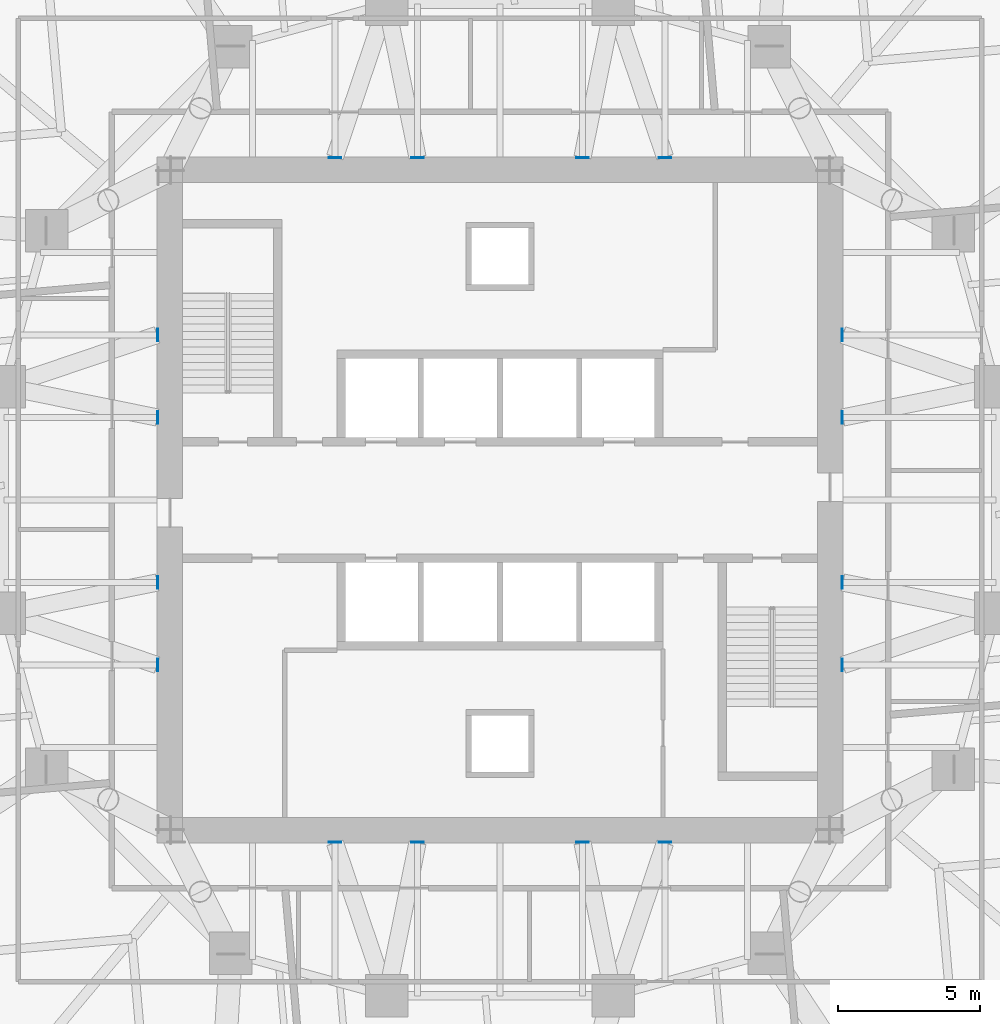
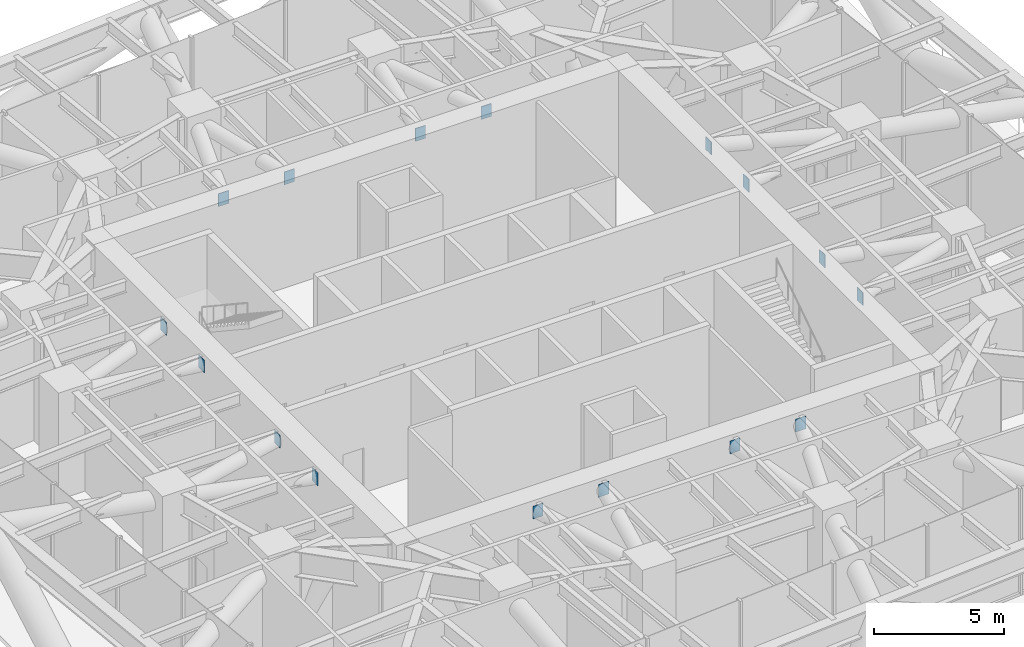
# One storey, part 12 of 14: 16 discrete accessories.
"""IFC4 building model written with IfcOpenShell, lengths in metres."""

from ifc_helpers import new_model, si_unit, direction, frame, origin, origin_2d, place, context, subcontext, project, spatial, rectangle, extrude, material, layer, layer_set, type_object, element, save


model = new_model("IFC4")

# Units and contexts
model_context = context("Model", 3, precision=1e-05, world=origin(), true_north=direction((0.0, 1.0)))
body_context = subcontext(model_context, "Body", "Model", "MODEL_VIEW")
ifc_project = project(units=[si_unit("LENGTHUNIT", "METRE"), si_unit("AREAUNIT", "SQUARE_METRE"), si_unit("VOLUMEUNIT", "CUBIC_METRE"), si_unit("PLANEANGLEUNIT", "RADIAN"), si_unit("MASSUNIT", "GRAM", prefix="KILO")], contexts=[model_context])

# Site, building, storey
site_placement = place(None, origin())
site = spatial("IfcSite", under=ifc_project, at=site_placement, CompositionType="ELEMENT")
building_placement = place(site_placement, origin())
building = spatial("IfcBuilding", under=site, at=building_placement, Name="Torsade Residences", CompositionType="ELEMENT")
storey_placement = place(building_placement, frame((0.0, 0.0, 42.199951171875)))
storey = spatial("IfcBuildingStorey", under=building, at=storey_placement, Name="L11", CompositionType="ELEMENT", Elevation=42.199951171875)

# Discrete accessories
ifc_material = material(Name="Steel grade 350", Category="steel")
ifc_layer = layer(ifc_material, 0.031982421875)
ifc_layer_set = layer_set([ifc_layer], Name="Steel grade 350")
discrete_accessory_type = type_object("IfcDiscreteAccessoryType", Name="CAST-IN PLATE 450x600x32", PredefinedType="ANCHORPLATE", material=ifc_layer_set)
for number, where, z_axis, x_axis, name in (
    (1, (52.083984375, 27.08740234375, 4.135986328125), (0.0, 0.0, 1.0), (1.0, 0.0, 0.0), "Cast-in plate PB1 PB-L12-IR01IE03"),
    (2, (52.083984375, 24.175048828125, 4.135986328125), (0.0, 0.0, 1.0), (1.0, 0.0, 0.0), "Cast-in plate PB1 PB-L12-IR01IE02"),
    (3, (52.083984375, 32.91259765625, 4.135986328125), (0.0, 0.0, 1.0), (1.0, 0.0, 0.0), "Cast-in plate PB1 PB-L12-IR02IE05"),
    (4, (52.083984375, 35.824951171875, 4.135986328125), (0.0, 0.0, 1.0), (1.0, 0.0, 0.0), "Cast-in plate PB1 PB-L12-IR02IE06"),
):
    element("IfcDiscreteAccessory", number, at=place(storey_placement, frame(where, z_axis=z_axis, x_axis=x_axis)), inside=storey, type_object=discrete_accessory_type, Name=name, PredefinedType="ANCHORPLATE", context=body_context, shape_type="SweptSolid", body=[
        extrude(rectangle(XDim=0.031982421875, YDim=0.449951171875, at=origin_2d()), origin(), (0.0, 0.0, 1.0), 0.60009765625),
    ])
for number, where, z_axis, x_axis, name in (
    (5, (42.91259765625, 42.083984375, 4.135986328125), (0.0, 0.0, 1.0), (1.0, 0.0, 0.0), "Cast-in plate PB1 PB-L12-IR05IN05"),
    (6, (45.824951171875, 42.083984375, 4.135986328125), (0.0, 0.0, 1.0), (1.0, 0.0, 0.0), "Cast-in plate PB1 PB-L12-IR05IN06"),
    (7, (37.08740234375, 42.083984375, 4.135986328125), (0.0, 0.0, 1.0), (1.0, 0.0, 0.0), "Cast-in plate PB1 PB-L12-IR06IN03"),
    (8, (34.175048828125, 42.083984375, 4.135986328125), (0.0, 0.0, 1.0), (1.0, 0.0, 0.0), "Cast-in plate PB1 PB-L12-IR06IN02"),
):
    element("IfcDiscreteAccessory", number, at=place(storey_placement, frame(where, z_axis=z_axis, x_axis=x_axis)), inside=storey, type_object=discrete_accessory_type, Name=name, PredefinedType="ANCHORPLATE", context=body_context, shape_type="SweptSolid", body=[
        extrude(rectangle(XDim=0.449951171875, YDim=0.031982421875, at=origin_2d()), origin(), (0.0, 0.0, 1.0), 0.60009765625),
    ])
for number, where, z_axis, x_axis, name in (
    (9, (27.916015625, 32.91259765625, 4.135986328125), (0.0, 0.0, 1.0), (1.0, 0.0, 0.0), "Cast-in plate PB1 PB-L12-IR09IW03"),
    (10, (27.916015625, 35.824951171875, 4.135986328125), (0.0, 0.0, 1.0), (1.0, 0.0, 0.0), "Cast-in plate PB1 PB-L12-IR09IW02"),
    (11, (27.916015625, 27.08740234375, 4.135986328125), (0.0, 0.0, 1.0), (1.0, 0.0, 0.0), "Cast-in plate PB1 PB-L12-IR10IW05"),
    (12, (27.916015625, 24.175048828125, 4.135986328125), (0.0, 0.0, 1.0), (1.0, 0.0, 0.0), "Cast-in plate PB1 PB-L12-IR10IW06"),
):
    element("IfcDiscreteAccessory", number, at=place(storey_placement, frame(where, z_axis=z_axis, x_axis=x_axis)), inside=storey, type_object=discrete_accessory_type, Name=name, PredefinedType="ANCHORPLATE", context=body_context, shape_type="SweptSolid", body=[
        extrude(rectangle(XDim=0.031982421875, YDim=0.449951171875, at=origin_2d()), origin(), (0.0, 0.0, 1.0), 0.60009765625),
    ])
for number, where, z_axis, x_axis, name in (
    (13, (37.08740234375, 17.916015625, 4.135986328125), (0.0, 0.0, 1.0), (1.0, 0.0, 0.0), "Cast-in plate PB1 PB-L12-IR13IS05"),
    (14, (34.175048828125, 17.916015625, 4.135986328125), (0.0, 0.0, 1.0), (1.0, 0.0, 0.0), "Cast-in plate PB1 PB-L12-IR13IS06"),
    (15, (42.91259765625, 17.916015625, 4.135986328125), (0.0, 0.0, 1.0), (1.0, 0.0, 0.0), "Cast-in plate PB1 PB-L12-IR14IS03"),
    (16, (45.824951171875, 17.916015625, 4.135986328125), (0.0, 0.0, 1.0), (1.0, 0.0, 0.0), "Cast-in plate PB1 PB-L12-IR14IS02"),
):
    element("IfcDiscreteAccessory", number, at=place(storey_placement, frame(where, z_axis=z_axis, x_axis=x_axis)), inside=storey, type_object=discrete_accessory_type, Name=name, PredefinedType="ANCHORPLATE", context=body_context, shape_type="SweptSolid", body=[
        extrude(rectangle(XDim=0.449951171875, YDim=0.031982421875, at=origin_2d()), origin(), (0.0, 0.0, 1.0), 0.60009765625),
    ])

save(model, "model.ifc")
